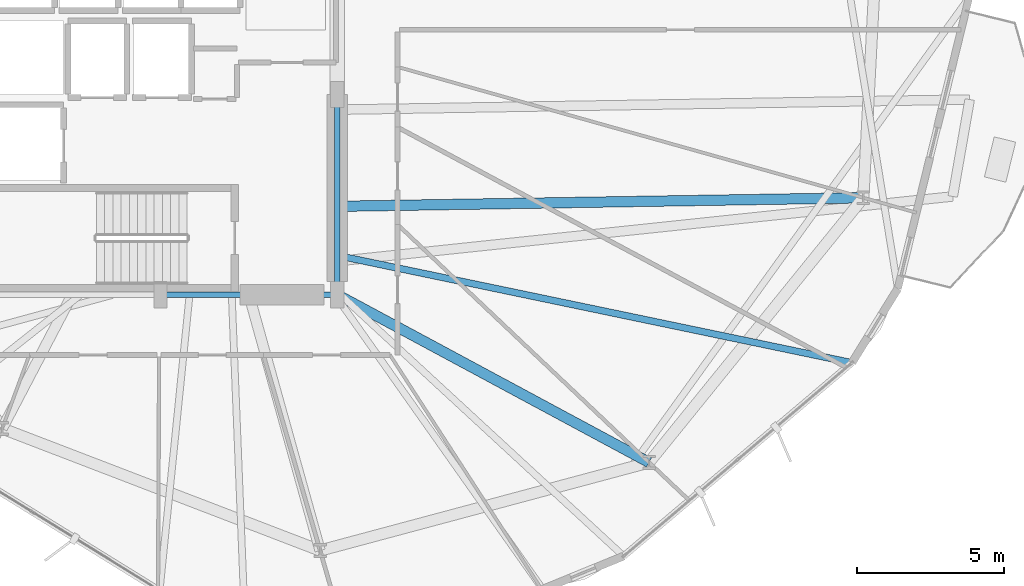
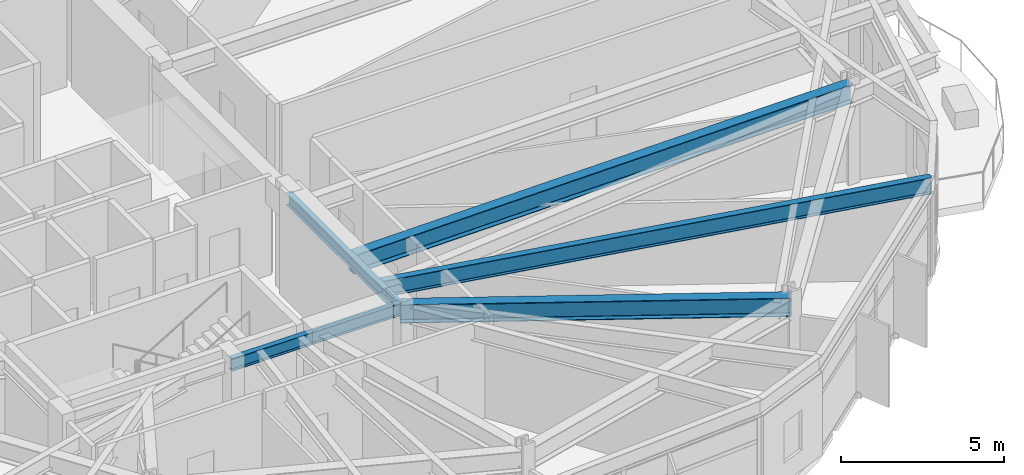
# One storey, part 6 of 22: 5 beams.
"""IFC4 building model written with IfcOpenShell, lengths in metres."""

import ifcopenshell
import ifcopenshell.guid

model = None  # the IFC model being written
_history = None  # IfcOwnerHistory: only IFC2X3 demands one
_inside = {}  # id of a spatial element -> (the spatial element, [elements in it])
_under = {}  # id of a project, library or spatial element -> (it, [spatial elements below it])
_declared = {}  # id of a project -> (the project, [libraries it declares])
_typed = {}  # id of a type object -> (the type object, [elements of that type])
_made_of = {}  # id of a material, layer set ... -> (it, [elements and type objects made of it])


def new_model(schema):
    """Start an empty IFC model of exactly this schema.

    Asked for "IFC4X3", IfcOpenShell would pick the latest addendum, in which some entities
    have other attributes; the version numbers below select the first issue.
    IFC2X3 requires an IfcOwnerHistory on every rooted entity: one is made here for all.
    """
    global model, _history
    if schema == "IFC4X3":
        model = ifcopenshell.file(schema_version=(4, 3, 0, 0))
    else:
        model = ifcopenshell.file(schema=schema)
    _inside.clear()
    _under.clear()
    _declared.clear()
    _typed.clear()
    _made_of.clear()
    _history = None
    if model.schema == "IFC2X3":
        org = make("IfcOrganization", Name="unknown")
        user = make(
            "IfcPersonAndOrganization",
            ThePerson=make("IfcPerson", FamilyName="unknown"),
            TheOrganization=org,
        )
        app = make(
            "IfcApplication",
            ApplicationDeveloper=org,
            Version="unknown",
            ApplicationFullName="unknown",
            ApplicationIdentifier="unknown",
        )
        _history = make(
            "IfcOwnerHistory",
            OwningUser=user,
            OwningApplication=app,
            ChangeAction="ADDED",
            CreationDate=0,
        )
    return model


def make(cls, **values):
    """One entity of the class cls with the attributes given. An attribute that is None is left unset."""
    return model.create_entity(
        cls, **{name: value for name, value in values.items() if value is not None}
    )


def rooted(cls, **values):
    """An entity with a GlobalId (a new one), such as an element, a storey or a relation."""
    return make(cls, GlobalId=ifcopenshell.guid.new(), OwnerHistory=_history, **values)


def si_unit(unit_type, name, prefix=None):
    """IfcSIUnit, for example si_unit("LENGTHUNIT", "METRE", prefix="MILLI")."""
    return make("IfcSIUnit", UnitType=unit_type, Prefix=prefix, Name=name)


def assignment(units):
    """IfcUnitAssignment: the units of a project."""
    return None if units is None else make("IfcUnitAssignment", Units=units)


def point(xyz):
    """IfcCartesianPoint."""
    return None if xyz is None else make("IfcCartesianPoint", Coordinates=xyz)


def direction(xyz):
    """IfcDirection."""
    return None if xyz is None else make("IfcDirection", DirectionRatios=xyz)


def frame(location, z_axis=None, x_axis=None):
    """IfcAxis2Placement3D, a coordinate frame: its origin and axes. An axis left out is left unset."""
    return make(
        "IfcAxis2Placement3D",
        Location=point(location),
        Axis=direction(z_axis),
        RefDirection=direction(x_axis),
    )


def frame_2d(location, x_axis=None):
    """IfcAxis2Placement2D, a coordinate frame in the plane: its origin and x axis."""
    return make(
        "IfcAxis2Placement2D", Location=point(location), RefDirection=direction(x_axis)
    )


def origin():
    """The frame at (0, 0, 0) with its axes left unset."""
    return frame((0.0, 0.0, 0.0))


def origin_2d():
    """The frame at (0, 0) in the plane with its x axis left unset."""
    return frame_2d((0.0, 0.0))


def place(relative_to, where):
    """IfcLocalPlacement: puts the frame where relative to a parent placement (None: the world)."""
    return make(
        "IfcLocalPlacement", PlacementRelTo=relative_to, RelativePlacement=where
    )


def context(
    kind, dimensions, precision=None, world=None, true_north=None, identifier=None
):
    """IfcGeometricRepresentationContext, for example the 3D "Model" context."""
    return make(
        "IfcGeometricRepresentationContext",
        ContextIdentifier=identifier,
        ContextType=kind,
        CoordinateSpaceDimension=dimensions,
        Precision=precision,
        WorldCoordinateSystem=world,
        TrueNorth=true_north,
    )


def subcontext(parent, identifier, kind, view, scale=None):
    """IfcGeometricRepresentationSubContext, for example "Body" below "Model"."""
    return make(
        "IfcGeometricRepresentationSubContext",
        ContextIdentifier=identifier,
        ContextType=kind,
        ParentContext=parent,
        TargetScale=scale,
        TargetView=view,
    )


def project(units=None, contexts=None):
    """IfcProject with its units and contexts."""
    return rooted(
        "IfcProject",
        Name="project",
        RepresentationContexts=contexts,
        UnitsInContext=assignment(units),
    )


def spatial(cls, under=None, at=None, **own):
    """A site, building, storey or space (cls), placed at a placement, below another one or the project."""
    s = rooted(cls, ObjectPlacement=at, **own)
    if under is not None:
        _under.setdefault(under.id(), (under, []))[1].append(s)
    return s


def profile(cls, at=None, kind="AREA", **sizes):
    """A parametric profile (cls). Its sizes go by their IFC names, for example OverallWidth=200.0."""
    return make(cls, ProfileType=kind, Position=at, **sizes)


def i_section(**sizes):
    """IfcIShapeProfileDef."""
    return profile("IfcIShapeProfileDef", **sizes)


def extrude(swept, where, along, depth):
    """IfcExtrudedAreaSolid: the profile swept, set in the frame where, extruded along a direction by depth."""
    return make(
        "IfcExtrudedAreaSolid",
        SweptArea=swept,
        Position=where,
        ExtrudedDirection=direction(along),
        Depth=depth,
    )


def shape(context_of_items, identifier, shape_type, items):
    """IfcShapeRepresentation: the items that make up one representation, for example the "Body"."""
    return make(
        "IfcShapeRepresentation",
        ContextOfItems=context_of_items,
        RepresentationIdentifier=identifier,
        RepresentationType=shape_type,
        Items=items,
    )


def material(Name=None, Category=None):
    """IfcMaterial."""
    return make("IfcMaterial", Name=Name, Category=Category)


def material_profile(
    of_material, cross_section, Name=None, Category=None, Priority=None
):
    """IfcMaterialProfile: a cross section and its material."""
    return make(
        "IfcMaterialProfile",
        Name=Name,
        Material=of_material,
        Profile=cross_section,
        Priority=Priority,
        Category=Category,
    )


def profile_set(profiles, Name=None, composite=None):
    """IfcMaterialProfileSet."""
    return make(
        "IfcMaterialProfileSet",
        Name=Name,
        MaterialProfiles=profiles,
        CompositeProfile=composite,
    )


def made_of(thing, what):
    """Note that an element or type object is made of a material, layer set ...; save() writes the relation."""
    if what is not None:
        _made_of.setdefault(what.id(), (what, []))[1].append(thing)
    return thing


def type_object(cls, material=None, **own):
    """A type object (cls), such as IfcWallType, which elements share."""
    return made_of(rooted(cls, **own), material)


def element(
    cls,
    number,
    at=None,
    inside=None,
    cuts=None,
    type_object=None,
    material=None,
    context=None,
    identifier="Body",
    shape_type=None,
    held_by="IfcProductDefinitionShape",
    body=None,
    shapes=None,
    **own,
):
    """One element of the class cls, such as IfcWall. Its Tag is "e" and its number.

    at: its placement. inside: the storey or other place that contains it. cuts: it is an
    opening in that element (IfcRelVoidsElement). A single representation is given by context,
    identifier, shape_type and body (its items); several are given by shapes. held_by: the class
    of the entity that holds the representations. save() writes the other relations.
    """
    e = rooted(cls, Tag="e%d" % number, ObjectPlacement=at, **own)
    if body is not None:
        shapes = [shape(context, identifier, shape_type, body)]
    if shapes is not None:
        e.Representation = make(held_by, Representations=shapes)
    if inside is not None:
        _inside.setdefault(inside.id(), (inside, []))[1].append(e)
    if cuts is not None:
        rooted(
            "IfcRelVoidsElement", RelatingBuildingElement=cuts, RelatedOpeningElement=e
        )
    if type_object is not None:
        _typed.setdefault(type_object.id(), (type_object, []))[1].append(e)
    return made_of(e, material)


def aggregate(whole, parts):
    """IfcRelAggregates: a whole, such as a stair, and the parts it consists of."""
    return rooted("IfcRelAggregates", RelatingObject=whole, RelatedObjects=parts)


def save(model, path):
    """Write the relations noted so far, then the file.

    IfcRelAggregates (storeys below a building ...), IfcRelContainedInSpatialStructure (elements
    in a storey), IfcRelDefinesByType, IfcRelAssociatesMaterial and IfcRelDeclares: one each for
    every whole, place, type object, material and project.
    """
    for whole, parts in _under.values():
        aggregate(whole, parts)
    for where, things in _inside.values():
        rooted(
            "IfcRelContainedInSpatialStructure",
            RelatedElements=things,
            RelatingStructure=where,
        )
    for kind, things in _typed.values():
        rooted("IfcRelDefinesByType", RelatedObjects=things, RelatingType=kind)
    for what, things in _made_of.values():
        rooted("IfcRelAssociatesMaterial", RelatedObjects=things, RelatingMaterial=what)
    for by, libraries in _declared.values():
        rooted("IfcRelDeclares", RelatingContext=by, RelatedDefinitions=libraries)
    model.write(path)


model = new_model("IFC4")

# Units and contexts
model_context = context("Model", 3, precision=1e-05, world=origin(), true_north=direction((0.0, 1.0)))
body_context = subcontext(model_context, "Body", "Model", "MODEL_VIEW")
ifc_project = project(units=[si_unit("LENGTHUNIT", "METRE"), si_unit("AREAUNIT", "SQUARE_METRE"), si_unit("VOLUMEUNIT", "CUBIC_METRE"), si_unit("PLANEANGLEUNIT", "RADIAN"), si_unit("MASSUNIT", "GRAM", prefix="KILO")], contexts=[model_context])

# Site, building, storey
site_placement = place(None, origin())
site = spatial("IfcSite", under=ifc_project, at=site_placement, CompositionType="ELEMENT")
building_placement = place(site_placement, origin())
building = spatial("IfcBuilding", under=site, at=building_placement, Name="Soratama Intermodal Tower", CompositionType="ELEMENT")
storey_placement = place(building_placement, frame((0.0, 0.0, 46.60009765625)))
storey = spatial("IfcBuildingStorey", under=building, at=storey_placement, Name="L10", CompositionType="ELEMENT", Elevation=46.60009765625)

# Beams
ifc_material_1 = material(Name="Structural steel ASTM A992 Grade 50", Category="steel")
ifc_material_profile_1 = material_profile(ifc_material_1, i_section(OverallWidth=0.19091796875, OverallDepth=0.4599609375, WebThickness=0.010009765625, FlangeThickness=0.01611328125, FilletRadius=0.010986328125, at=origin_2d()), Name="W18X55")
ifc_profile_set_1 = profile_set([ifc_material_profile_1], Name="Structural steel ASTM A992 Grade 50")
beam_type_1 = type_object("IfcBeamType", Name="BM-FLR-W18X55", PredefinedType="BEAM", material=ifc_profile_set_1)
beam_1_placement = place(storey_placement, frame((38.60009765625, 15.0, 3.469970703125), z_axis=(1.0, 0.0, 0.0), x_axis=(0.0, 1.0, 0.0)))
element("IfcBeam", 1, at=beam_1_placement, inside=storey, type_object=beam_type_1, Name="BM-L10-CRING-02", PredefinedType="BEAM", context=body_context, shape_type="SweptSolid", body=[
    extrude(i_section(OverallWidth=0.19091796875, OverallDepth=0.4599609375, WebThickness=0.010009765625, FlangeThickness=0.01611328125, FilletRadius=0.010986328125, at=origin_2d()), origin(), (0.0, 0.0, 1.0), 6.0),
])
beam_2_placement = place(storey_placement, frame((44.60009765625, 15.0, 3.469970703125), z_axis=(0.0, 1.0, 0.0), x_axis=(-1.0, 0.0, 0.0)))
element("IfcBeam", 2, at=beam_2_placement, inside=storey, type_object=beam_type_1, Name="BM-L10-CRING-03", PredefinedType="BEAM", context=body_context, shape_type="SweptSolid", body=[
    extrude(i_section(OverallWidth=0.19091796875, OverallDepth=0.4599609375, WebThickness=0.010009765625, FlangeThickness=0.01611328125, FilletRadius=0.010986328125, at=origin_2d()), origin(), (0.0, 0.0, 1.0), 6.800048828125),
])
ifc_material_2 = material(Name="Structural steel ASTM A992 Grade 50", Category="steel")
ifc_material_profile_2 = material_profile(ifc_material_2, i_section(OverallWidth=0.35498046875, OverallDepth=0.695068359375, WebThickness=0.015380859375, FlangeThickness=0.02490234375, FilletRadius=0.01611328125, at=origin_2d()), Name="W27X146")
ifc_profile_set_2 = profile_set([ifc_material_profile_2], Name="Structural steel ASTM A992 Grade 50")
beam_type_2 = type_object("IfcBeamType", Name="BM-RING-W27X146", PredefinedType="BEAM", material=ifc_profile_set_2)
beam_3_placement = place(storey_placement, frame((44.60009765625, 15.0, 3.352294921875), z_axis=(0.880663887759, -0.473741613961, 0.0), x_axis=(0.473741613961, 0.880663887759, 0.0)))
element("IfcBeam", 3, at=beam_3_placement, inside=storey, type_object=beam_type_2, Name="BM-L10-RAD-09", PredefinedType="BEAM", context=body_context, shape_type="SweptSolid", body=[
    extrude(i_section(OverallWidth=0.35498046875, OverallDepth=0.695068359375, WebThickness=0.015380859375, FlangeThickness=0.02490234375, FilletRadius=0.01611328125, at=origin_2d()), origin(), (0.0, 0.0, 1.0), 12.03173828125),
])
beam_4_placement = place(storey_placement, frame((44.60009765625, 18.0, 3.352294921875), z_axis=(0.999867526408, 0.016276659176, 0.0), x_axis=(-0.016276659176, 0.999867526408, 0.0)))
element("IfcBeam", 4, at=beam_4_placement, inside=storey, type_object=beam_type_2, Name="BM-L10-RAD-10", PredefinedType="BEAM", context=body_context, shape_type="SweptSolid", body=[
    extrude(i_section(OverallWidth=0.35498046875, OverallDepth=0.695068359375, WebThickness=0.015380859375, FlangeThickness=0.02490234375, FilletRadius=0.01611328125, at=origin_2d()), origin(), (0.0, 0.0, 1.0), 17.87939453125),
])
ifc_material_3 = material(Name="Structural steel ASTM A992 Grade 50", Category="steel")
ifc_material_profile_3 = material_profile(ifc_material_3, i_section(OverallWidth=0.22900390625, OverallDepth=0.612060546875, WebThickness=0.011962890625, FlangeThickness=0.01953125, FilletRadius=0.012939453125, at=origin_2d()), Name="W24X84")
ifc_profile_set_3 = profile_set([ifc_material_profile_3], Name="Structural steel ASTM A992 Grade 50")
beam_type_3 = type_object("IfcBeamType", Name="BM-TIE-W24X84", PredefinedType="BEAM", material=ifc_profile_set_3)
beam_5_placement = place(storey_placement, frame((44.638916015625, 16.322998046875, 3.393798828125), z_axis=(0.978943943916, -0.20412925971, 0.0), x_axis=(0.20412925971, 0.978943943916, 0.0)))
element("IfcBeam", 5, at=beam_5_placement, inside=storey, type_object=beam_type_3, Name="BM-L10-TIE1-09", PredefinedType="BEAM", context=body_context, shape_type="SweptSolid", body=[
    extrude(i_section(OverallWidth=0.22900390625, OverallDepth=0.612060546875, WebThickness=0.011962890625, FlangeThickness=0.01953125, FilletRadius=0.012939453125, at=origin_2d()), origin(), (0.0, 0.0, 1.0), 17.826416015625),
])

save(model, "model.ifc")
